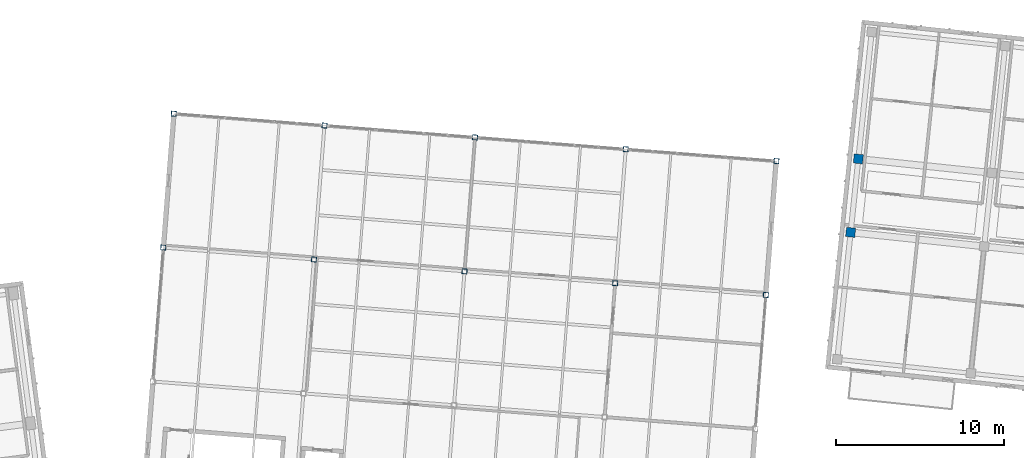
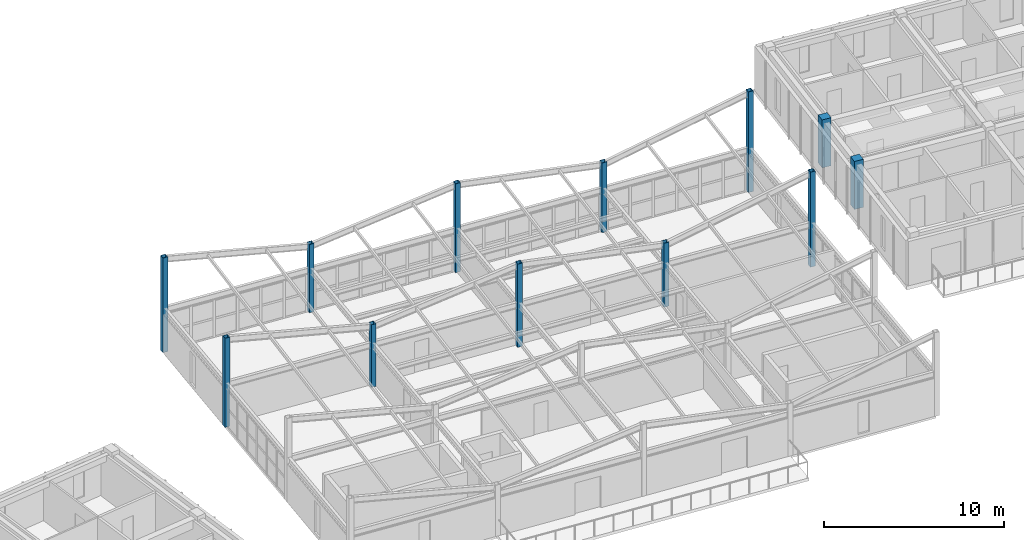
# One storey, part 4 of 127: 12 columns.
"""IFC4 building model written with IfcOpenShell, lengths in metres."""

import ifcopenshell
import ifcopenshell.guid

model = None  # the IFC model being written
_history = None  # IfcOwnerHistory: only IFC2X3 demands one
_inside = {}  # id of a spatial element -> (the spatial element, [elements in it])
_under = {}  # id of a project, library or spatial element -> (it, [spatial elements below it])
_declared = {}  # id of a project -> (the project, [libraries it declares])
_typed = {}  # id of a type object -> (the type object, [elements of that type])
_made_of = {}  # id of a material, layer set ... -> (it, [elements and type objects made of it])


def new_model(schema):
    """Start an empty IFC model of exactly this schema.

    Asked for "IFC4X3", IfcOpenShell would pick the latest addendum, in which some entities
    have other attributes; the version numbers below select the first issue.
    IFC2X3 requires an IfcOwnerHistory on every rooted entity: one is made here for all.
    """
    global model, _history
    if schema == "IFC4X3":
        model = ifcopenshell.file(schema_version=(4, 3, 0, 0))
    else:
        model = ifcopenshell.file(schema=schema)
    _inside.clear()
    _under.clear()
    _declared.clear()
    _typed.clear()
    _made_of.clear()
    _history = None
    if model.schema == "IFC2X3":
        org = make("IfcOrganization", Name="unknown")
        user = make(
            "IfcPersonAndOrganization",
            ThePerson=make("IfcPerson", FamilyName="unknown"),
            TheOrganization=org,
        )
        app = make(
            "IfcApplication",
            ApplicationDeveloper=org,
            Version="unknown",
            ApplicationFullName="unknown",
            ApplicationIdentifier="unknown",
        )
        _history = make(
            "IfcOwnerHistory",
            OwningUser=user,
            OwningApplication=app,
            ChangeAction="ADDED",
            CreationDate=0,
        )
    return model


def make(cls, **values):
    """One entity of the class cls with the attributes given. An attribute that is None is left unset."""
    return model.create_entity(
        cls, **{name: value for name, value in values.items() if value is not None}
    )


def rooted(cls, **values):
    """An entity with a GlobalId (a new one), such as an element, a storey or a relation."""
    return make(cls, GlobalId=ifcopenshell.guid.new(), OwnerHistory=_history, **values)


def si_unit(unit_type, name, prefix=None):
    """IfcSIUnit, for example si_unit("LENGTHUNIT", "METRE", prefix="MILLI")."""
    return make("IfcSIUnit", UnitType=unit_type, Prefix=prefix, Name=name)


def assignment(units):
    """IfcUnitAssignment: the units of a project."""
    return None if units is None else make("IfcUnitAssignment", Units=units)


def point(xyz):
    """IfcCartesianPoint."""
    return None if xyz is None else make("IfcCartesianPoint", Coordinates=xyz)


def direction(xyz):
    """IfcDirection."""
    return None if xyz is None else make("IfcDirection", DirectionRatios=xyz)


def frame(location, z_axis=None, x_axis=None):
    """IfcAxis2Placement3D, a coordinate frame: its origin and axes. An axis left out is left unset."""
    return make(
        "IfcAxis2Placement3D",
        Location=point(location),
        Axis=direction(z_axis),
        RefDirection=direction(x_axis),
    )


def frame_2d(location, x_axis=None):
    """IfcAxis2Placement2D, a coordinate frame in the plane: its origin and x axis."""
    return make(
        "IfcAxis2Placement2D", Location=point(location), RefDirection=direction(x_axis)
    )


def origin():
    """The frame at (0, 0, 0) with its axes left unset."""
    return frame((0.0, 0.0, 0.0))


def origin_2d():
    """The frame at (0, 0) in the plane with its x axis left unset."""
    return frame_2d((0.0, 0.0))


def place(relative_to, where):
    """IfcLocalPlacement: puts the frame where relative to a parent placement (None: the world)."""
    return make(
        "IfcLocalPlacement", PlacementRelTo=relative_to, RelativePlacement=where
    )


def context(
    kind, dimensions, precision=None, world=None, true_north=None, identifier=None
):
    """IfcGeometricRepresentationContext, for example the 3D "Model" context."""
    return make(
        "IfcGeometricRepresentationContext",
        ContextIdentifier=identifier,
        ContextType=kind,
        CoordinateSpaceDimension=dimensions,
        Precision=precision,
        WorldCoordinateSystem=world,
        TrueNorth=true_north,
    )


def subcontext(parent, identifier, kind, view, scale=None):
    """IfcGeometricRepresentationSubContext, for example "Body" below "Model"."""
    return make(
        "IfcGeometricRepresentationSubContext",
        ContextIdentifier=identifier,
        ContextType=kind,
        ParentContext=parent,
        TargetScale=scale,
        TargetView=view,
    )


def project(units=None, contexts=None):
    """IfcProject with its units and contexts."""
    return rooted(
        "IfcProject",
        Name="project",
        RepresentationContexts=contexts,
        UnitsInContext=assignment(units),
    )


def spatial(cls, under=None, at=None, **own):
    """A site, building, storey or space (cls), placed at a placement, below another one or the project."""
    s = rooted(cls, ObjectPlacement=at, **own)
    if under is not None:
        _under.setdefault(under.id(), (under, []))[1].append(s)
    return s


def profile(cls, at=None, kind="AREA", **sizes):
    """A parametric profile (cls). Its sizes go by their IFC names, for example OverallWidth=200.0."""
    return make(cls, ProfileType=kind, Position=at, **sizes)


def rectangle(**sizes):
    """IfcRectangleProfileDef."""
    return profile("IfcRectangleProfileDef", **sizes)


def hollow_rectangle(**sizes):
    """IfcRectangleHollowProfileDef."""
    return profile("IfcRectangleHollowProfileDef", **sizes)


def extrude(swept, where, along, depth):
    """IfcExtrudedAreaSolid: the profile swept, set in the frame where, extruded along a direction by depth."""
    return make(
        "IfcExtrudedAreaSolid",
        SweptArea=swept,
        Position=where,
        ExtrudedDirection=direction(along),
        Depth=depth,
    )


def shape(context_of_items, identifier, shape_type, items):
    """IfcShapeRepresentation: the items that make up one representation, for example the "Body"."""
    return make(
        "IfcShapeRepresentation",
        ContextOfItems=context_of_items,
        RepresentationIdentifier=identifier,
        RepresentationType=shape_type,
        Items=items,
    )


def material(Name=None, Category=None):
    """IfcMaterial."""
    return make("IfcMaterial", Name=Name, Category=Category)


def material_profile(
    of_material, cross_section, Name=None, Category=None, Priority=None
):
    """IfcMaterialProfile: a cross section and its material."""
    return make(
        "IfcMaterialProfile",
        Name=Name,
        Material=of_material,
        Profile=cross_section,
        Priority=Priority,
        Category=Category,
    )


def profile_set(profiles, Name=None, composite=None):
    """IfcMaterialProfileSet."""
    return make(
        "IfcMaterialProfileSet",
        Name=Name,
        MaterialProfiles=profiles,
        CompositeProfile=composite,
    )


def made_of(thing, what):
    """Note that an element or type object is made of a material, layer set ...; save() writes the relation."""
    if what is not None:
        _made_of.setdefault(what.id(), (what, []))[1].append(thing)
    return thing


def type_object(cls, material=None, **own):
    """A type object (cls), such as IfcWallType, which elements share."""
    return made_of(rooted(cls, **own), material)


def element(
    cls,
    number,
    at=None,
    inside=None,
    cuts=None,
    type_object=None,
    material=None,
    context=None,
    identifier="Body",
    shape_type=None,
    held_by="IfcProductDefinitionShape",
    body=None,
    shapes=None,
    **own,
):
    """One element of the class cls, such as IfcWall. Its Tag is "e" and its number.

    at: its placement. inside: the storey or other place that contains it. cuts: it is an
    opening in that element (IfcRelVoidsElement). A single representation is given by context,
    identifier, shape_type and body (its items); several are given by shapes. held_by: the class
    of the entity that holds the representations. save() writes the other relations.
    """
    e = rooted(cls, Tag="e%d" % number, ObjectPlacement=at, **own)
    if body is not None:
        shapes = [shape(context, identifier, shape_type, body)]
    if shapes is not None:
        e.Representation = make(held_by, Representations=shapes)
    if inside is not None:
        _inside.setdefault(inside.id(), (inside, []))[1].append(e)
    if cuts is not None:
        rooted(
            "IfcRelVoidsElement", RelatingBuildingElement=cuts, RelatedOpeningElement=e
        )
    if type_object is not None:
        _typed.setdefault(type_object.id(), (type_object, []))[1].append(e)
    return made_of(e, material)


def aggregate(whole, parts):
    """IfcRelAggregates: a whole, such as a stair, and the parts it consists of."""
    return rooted("IfcRelAggregates", RelatingObject=whole, RelatedObjects=parts)


def save(model, path):
    """Write the relations noted so far, then the file.

    IfcRelAggregates (storeys below a building ...), IfcRelContainedInSpatialStructure (elements
    in a storey), IfcRelDefinesByType, IfcRelAssociatesMaterial and IfcRelDeclares: one each for
    every whole, place, type object, material and project.
    """
    for whole, parts in _under.values():
        aggregate(whole, parts)
    for where, things in _inside.values():
        rooted(
            "IfcRelContainedInSpatialStructure",
            RelatedElements=things,
            RelatingStructure=where,
        )
    for kind, things in _typed.values():
        rooted("IfcRelDefinesByType", RelatedObjects=things, RelatingType=kind)
    for what, things in _made_of.values():
        rooted("IfcRelAssociatesMaterial", RelatedObjects=things, RelatingMaterial=what)
    for by, libraries in _declared.values():
        rooted("IfcRelDeclares", RelatingContext=by, RelatedDefinitions=libraries)
    model.write(path)


model = new_model("IFC4")

# Units and contexts
model_context = context("Model", 3, precision=1e-05, world=origin(), true_north=direction((0.0, 1.0)))
body_context = subcontext(model_context, "Body", "Model", "MODEL_VIEW")
ifc_project = project(units=[si_unit("LENGTHUNIT", "METRE"), si_unit("AREAUNIT", "SQUARE_METRE"), si_unit("VOLUMEUNIT", "CUBIC_METRE"), si_unit("PLANEANGLEUNIT", "RADIAN"), si_unit("MASSUNIT", "GRAM", prefix="KILO")], contexts=[model_context])

# Site, building, storey
site_placement = place(None, origin())
site = spatial("IfcSite", under=ifc_project, at=site_placement, CompositionType="ELEMENT")
building_placement = place(site_placement, origin())
building = spatial("IfcBuilding", under=site, at=building_placement, Name="Kestramere Prow Commons", CompositionType="ELEMENT")
storey_placement = place(building_placement, frame((0.0, 0.0, 8.39990234375)))
storey = spatial("IfcBuildingStorey", under=building, at=storey_placement, Name="L02", CompositionType="ELEMENT", Elevation=8.39990234375)

# Columns
ifc_material_1 = material(Name="Precast concrete C40/50", Category="concrete")
ifc_material_profile_1 = material_profile(ifc_material_1, rectangle(XDim=0.550048828125, YDim=0.550048828125, at=origin_2d()), Name="PC-COL 550x550")
ifc_profile_set_1 = profile_set([ifc_material_profile_1], Name="Precast concrete C40/50")
column_type_1 = type_object("IfcColumnType", Name="C-B2 PC-COL 550x550", PredefinedType="COLUMN", material=ifc_profile_set_1)
for number, where, z_axis, x_axis, name in (
    (1, (110.79443359375, 102.3583984375, 0.0), (0.0, 0.0, 1.0), (0.994521895368, -0.104528463268, 0.0), "Block B L02 Column 1-2"),
    (2, (111.25439453125, 106.734375, 0.0), (0.0, 0.0, 1.0), (0.994521895368, -0.104528463268, 0.0), "Block B L02 Column 1-3"),
):
    element("IfcColumn", number, at=place(storey_placement, frame(where, z_axis=z_axis, x_axis=x_axis)), inside=storey, type_object=column_type_1, Name=name, PredefinedType="COLUMN", context=body_context, shape_type="SweptSolid", body=[
        extrude(rectangle(XDim=0.550048828125, YDim=0.550048828125, at=origin_2d()), origin(), (0.0, 0.0, 1.0), 3.25),
    ])
ifc_material_2 = material(Name="Steel S355JR", Category="steel")
ifc_material_profile_2 = material_profile(ifc_material_2, hollow_rectangle(XDim=0.300048828125, YDim=0.300048828125, WallThickness=0.01611328125, at=origin_2d()), Name="SHS 300x300x16")
ifc_profile_set_2 = profile_set([ifc_material_profile_2], Name="Steel S355JR")
column_type_2 = type_object("IfcColumnType", Name="C-NR1 SHS 300x300x16", PredefinedType="COLUMN", material=ifc_profile_set_2)
column_1_placement = place(storey_placement, frame((69.855224609375, 101.45068359375, 0.0), z_axis=(0.0, 0.0, 1.0), x_axis=(0.996917333733, -0.078459095728, 0.0)))
element("IfcColumn", 3, at=column_1_placement, inside=storey, type_object=column_type_2, Name="Nursery L02 Steel Column 1-3", PredefinedType="COLUMN", context=body_context, shape_type="SweptSolid", body=[
    extrude(hollow_rectangle(XDim=0.300048828125, YDim=0.300048828125, WallThickness=0.01611328125, at=origin_2d()), origin(), (0.0, 0.0, 1.0), 6.036865234375),
])
column_2_placement = place(storey_placement, frame((70.48291015625, 109.426025390625, 0.0), z_axis=(0.0, 0.0, 1.0), x_axis=(0.996917333733, -0.078459095728, 0.0)))
element("IfcColumn", 4, at=column_2_placement, inside=storey, type_object=column_type_2, Name="Nursery L02 Steel Column 1-4", PredefinedType="COLUMN", context=body_context, shape_type="SweptSolid", body=[
    extrude(hollow_rectangle(XDim=0.300048828125, YDim=0.300048828125, WallThickness=0.01611328125, at=origin_2d()), origin(), (0.0, 0.0, 1.0), 6.420166015625),
])
column_3_placement = place(storey_placement, frame((79.455322265625, 108.719970703125, 0.0), z_axis=(0.0, 0.0, 1.0), x_axis=(0.996917333733, -0.078459095728, 0.0)))
element("IfcColumn", 5, at=column_3_placement, inside=storey, type_object=column_type_2, Name="Nursery L02 Steel Column 2-4", PredefinedType="COLUMN", context=body_context, shape_type="SweptSolid", body=[
    extrude(hollow_rectangle(XDim=0.300048828125, YDim=0.300048828125, WallThickness=0.01611328125, at=origin_2d()), origin(), (0.0, 0.0, 1.0), 4.6201171875),
])
column_4_placement = place(storey_placement, frame((88.427490234375, 108.013671875, 0.0), z_axis=(0.0, 0.0, 1.0), x_axis=(0.996917333733, -0.078459095728, 0.0)))
element("IfcColumn", 6, at=column_4_placement, inside=storey, type_object=column_type_2, Name="Nursery L02 Steel Column 3-4", PredefinedType="COLUMN", context=body_context, shape_type="SweptSolid", body=[
    extrude(hollow_rectangle(XDim=0.300048828125, YDim=0.300048828125, WallThickness=0.01611328125, at=origin_2d()), origin(), (0.0, 0.0, 1.0), 6.02001953125),
])
column_5_placement = place(storey_placement, frame((97.39990234375, 107.3076171875, 0.0), z_axis=(0.0, 0.0, 1.0), x_axis=(0.996917333733, -0.078459095728, 0.0)))
element("IfcColumn", 7, at=column_5_placement, inside=storey, type_object=column_type_2, Name="Nursery L02 Steel Column 4-4", PredefinedType="COLUMN", context=body_context, shape_type="SweptSolid", body=[
    extrude(hollow_rectangle(XDim=0.300048828125, YDim=0.300048828125, WallThickness=0.01611328125, at=origin_2d()), origin(), (0.0, 0.0, 1.0), 4.72021484375),
])
column_6_placement = place(storey_placement, frame((105.744384765625, 98.626220703125, 0.0), z_axis=(0.0, 0.0, 1.0), x_axis=(0.996917333733, -0.078459095728, 0.0)))
element("IfcColumn", 8, at=column_6_placement, inside=storey, type_object=column_type_2, Name="Nursery L02 Steel Column 5-3", PredefinedType="COLUMN", context=body_context, shape_type="SweptSolid", body=[
    extrude(hollow_rectangle(XDim=0.300048828125, YDim=0.300048828125, WallThickness=0.01611328125, at=origin_2d()), origin(), (0.0, 0.0, 1.0), 6.436767578125),
])
column_7_placement = place(storey_placement, frame((106.3720703125, 106.6015625, 0.0), z_axis=(0.0, 0.0, 1.0), x_axis=(0.996917333733, -0.078459095728, 0.0)))
element("IfcColumn", 9, at=column_7_placement, inside=storey, type_object=column_type_2, Name="Nursery L02 Steel Column 5-4", PredefinedType="COLUMN", context=body_context, shape_type="SweptSolid", body=[
    extrude(hollow_rectangle(XDim=0.300048828125, YDim=0.300048828125, WallThickness=0.01611328125, at=origin_2d()), origin(), (0.0, 0.0, 1.0), 6.820068359375),
])
ifc_material_profile_3 = material_profile(ifc_material_2, hollow_rectangle(XDim=0.300048828125, YDim=0.300048828125, WallThickness=0.01611328125, at=origin_2d()), Name="SHS 300x300x16")
ifc_profile_set_3 = profile_set([ifc_material_profile_3], Name="Steel S355JR")
column_type_3 = type_object("IfcColumnType", Name="C-NR1 SHS 300x300x16 (IN)", PredefinedType="COLUMN", material=ifc_profile_set_3)
column_8_placement = place(storey_placement, frame((78.82763671875, 100.74462890625, 0.0), z_axis=(0.0, 0.0, 1.0), x_axis=(0.996917333733, -0.078459095728, 0.0)))
element("IfcColumn", 10, at=column_8_placement, inside=storey, type_object=column_type_3, Name="Nursery L02 Steel Column 2-3", PredefinedType="COLUMN", context=body_context, shape_type="SweptSolid", body=[
    extrude(hollow_rectangle(XDim=0.300048828125, YDim=0.300048828125, WallThickness=0.01611328125, at=origin_2d()), origin(), (0.0, 0.0, 1.0), 4.23681640625),
])
column_9_placement = place(storey_placement, frame((87.7998046875, 100.038330078125, 0.0), z_axis=(0.0, 0.0, 1.0), x_axis=(0.996917333733, -0.078459095728, 0.0)))
element("IfcColumn", 11, at=column_9_placement, inside=storey, type_object=column_type_3, Name="Nursery L02 Steel Column 3-3", PredefinedType="COLUMN", context=body_context, shape_type="SweptSolid", body=[
    extrude(hollow_rectangle(XDim=0.300048828125, YDim=0.300048828125, WallThickness=0.01611328125, at=origin_2d()), origin(), (0.0, 0.0, 1.0), 5.63671875),
])
column_10_placement = place(storey_placement, frame((96.772216796875, 99.332275390625, 0.0), z_axis=(0.0, 0.0, 1.0), x_axis=(0.996917333733, -0.078459095728, 0.0)))
element("IfcColumn", 12, at=column_10_placement, inside=storey, type_object=column_type_3, Name="Nursery L02 Steel Column 4-3", PredefinedType="COLUMN", context=body_context, shape_type="SweptSolid", body=[
    extrude(hollow_rectangle(XDim=0.300048828125, YDim=0.300048828125, WallThickness=0.01611328125, at=origin_2d()), origin(), (0.0, 0.0, 1.0), 4.336669921875),
])

save(model, "model.ifc")
